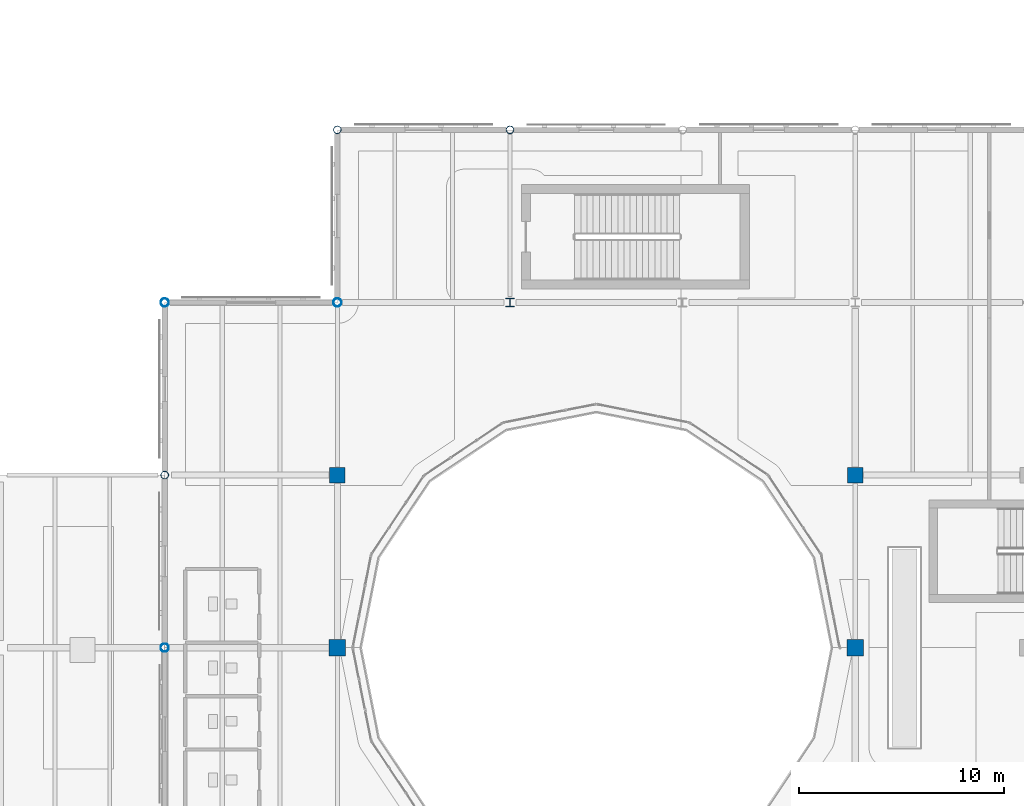
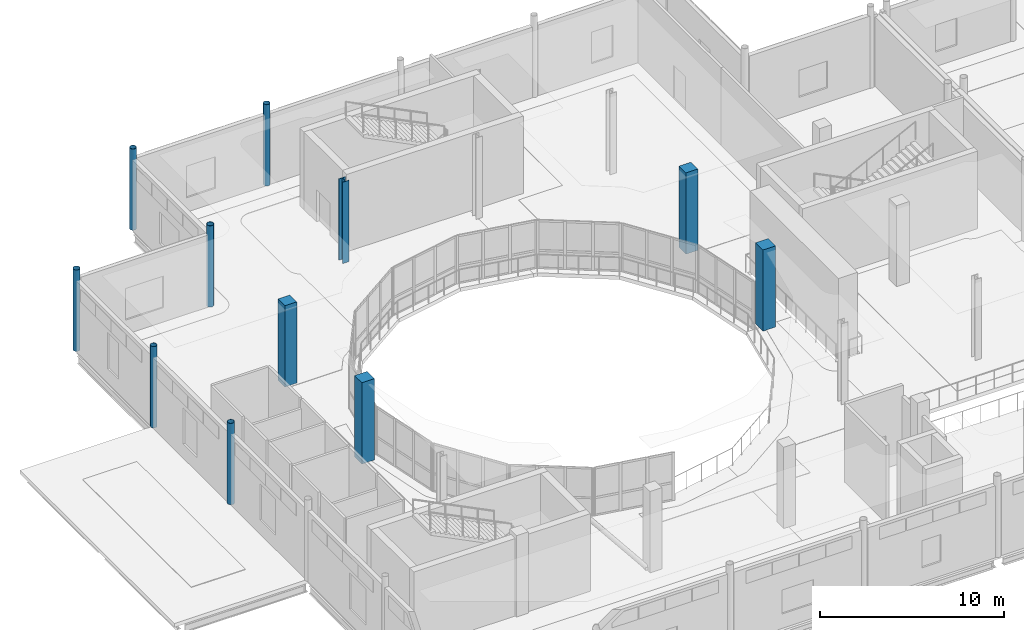
# One storey, part 6 of 110: 11 columns.
"""IFC4 building model written with IfcOpenShell, lengths in metres."""

from ifc_helpers import new_model, si_unit, direction, frame, origin, origin_2d, place, context, subcontext, project, spatial, rectangle, hollow_circle, i_section, extrude, material, material_profile, profile_set, type_object, element, save


model = new_model("IFC4")

# Units and contexts
model_context = context("Model", 3, precision=1e-05, world=origin(), true_north=direction((0.0, 1.0)))
body_context = subcontext(model_context, "Body", "Model", "MODEL_VIEW")
ifc_project = project(units=[si_unit("LENGTHUNIT", "METRE"), si_unit("AREAUNIT", "SQUARE_METRE"), si_unit("VOLUMEUNIT", "CUBIC_METRE"), si_unit("PLANEANGLEUNIT", "RADIAN"), si_unit("MASSUNIT", "GRAM", prefix="KILO"), si_unit("THERMODYNAMICTEMPERATUREUNIT", "KELVIN")], contexts=[model_context])

# Site, building, storey
site_placement = place(None, origin())
site = spatial("IfcSite", under=ifc_project, at=site_placement, CompositionType="ELEMENT")
building_placement = place(site_placement, origin())
building = spatial("IfcBuilding", under=site, at=building_placement, Name="Lustrewick Department Store", CompositionType="ELEMENT")
storey_placement = place(building_placement, frame((0.0, 0.0, 6.0)))
storey = spatial("IfcBuildingStorey", under=building, at=storey_placement, Name="L02", CompositionType="ELEMENT", Elevation=6.0)

# Columns
ifc_material_1 = material(Name="Structural steel Q355C", Category="steel")
ifc_material_profile_1 = material_profile(ifc_material_1, i_section(OverallWidth=0.405029296875, OverallDepth=0.4140625, WebThickness=0.01806640625, FlangeThickness=0.028076171875, FilletRadius=0.02197265625, at=origin_2d()), Name="HW 414x405x18x28")
ifc_profile_set_1 = profile_set([ifc_material_profile_1], Name="Structural steel Q355C")
column_type_1 = type_object("IfcColumnType", Name="C10", PredefinedType="COLUMN", material=ifc_profile_set_1)
column_placement = place(storey_placement, frame((25.199951171875, 84.0, 0.0), z_axis=(0.0, 0.0, 1.0), x_axis=(1.0, 0.0, 0.0)))
element("IfcColumn", 1, at=column_placement, inside=storey, type_object=column_type_1, Name="L02 V1 Column C10", PredefinedType="COLUMN", context=body_context, shape_type="SweptSolid", body=[
    extrude(i_section(OverallWidth=0.405029296875, OverallDepth=0.4140625, WebThickness=0.01806640625, FlangeThickness=0.028076171875, FilletRadius=0.02197265625, at=origin_2d()), origin(), (0.0, 0.0, 1.0), 5.39990234375),
])
ifc_material_2 = material(Name="Concrete C40", Category="concrete")
ifc_material_profile_2 = material_profile(ifc_material_2, rectangle(XDim=0.800048828125, YDim=0.800048828125, at=origin_2d()), Name="RC 800x800")
ifc_profile_set_2 = profile_set([ifc_material_profile_2], Name="Concrete C40")
column_type_2 = type_object("IfcColumnType", Name="C19", PredefinedType="COLUMN", material=ifc_profile_set_2)
for number, where, z_axis, x_axis, name in (
    (2, (16.800048828125, 67.199951171875, 0.0), (0.0, 0.0, 1.0), (1.0, 0.0, 0.0), "L02 V1 Column C19"),
    (3, (42.0, 67.199951171875, 0.0), (0.0, 0.0, 1.0), (1.0, 0.0, 0.0), "L02 V1 Column C19"),
):
    element("IfcColumn", number, at=place(storey_placement, frame(where, z_axis=z_axis, x_axis=x_axis)), inside=storey, type_object=column_type_2, Name=name, PredefinedType="COLUMN", context=body_context, shape_type="SweptSolid", body=[
        extrude(rectangle(XDim=0.800048828125, YDim=0.800048828125, at=origin_2d()), origin(), (0.0, 0.0, 1.0), 5.39990234375),
    ])
ifc_material_profile_3 = material_profile(ifc_material_2, rectangle(XDim=0.75, YDim=0.75, at=origin_2d()), Name="RC 750x750")
ifc_profile_set_3 = profile_set([ifc_material_profile_3], Name="Concrete C40")
column_type_3 = type_object("IfcColumnType", Name="C20", PredefinedType="COLUMN", material=ifc_profile_set_3)
for number, where, z_axis, x_axis, name in (
    (4, (16.800048828125, 75.60009765625, 0.0), (0.0, 0.0, 1.0), (1.0, 0.0, 0.0), "L02 V1 Column C20"),
    (5, (42.0, 75.60009765625, 0.0), (0.0, 0.0, 1.0), (1.0, 0.0, 0.0), "L02 V1 Column C20"),
):
    element("IfcColumn", number, at=place(storey_placement, frame(where, z_axis=z_axis, x_axis=x_axis)), inside=storey, type_object=column_type_3, Name=name, PredefinedType="COLUMN", context=body_context, shape_type="SweptSolid", body=[
        extrude(rectangle(XDim=0.75, YDim=0.75, at=origin_2d()), origin(), (0.0, 0.0, 1.0), 5.39990234375),
    ])
ifc_material_profile_4 = material_profile(ifc_material_1, hollow_circle(Radius=0.202880859375, WallThickness=0.01611328125, at=origin_2d()), Name="CHS 406x16")
ifc_profile_set_4 = profile_set([ifc_material_profile_4], Name="Structural steel Q355C")
column_type_4 = type_object("IfcColumnType", Name="CE03", PredefinedType="COLUMN", material=ifc_profile_set_4)
for number, where, z_axis, x_axis, name in (
    (6, (8.39990234375, 67.199951171875, 0.0), (0.0, 0.0, 1.0), (1.0, 0.0, 0.0), "L02 V1 Column CE03"),
    (7, (8.39990234375, 84.0, 0.0), (0.0, 0.0, 1.0), (1.0, 0.0, 0.0), "L02 V1 Column CE03"),
    (8, (16.800048828125, 84.0, 0.0), (0.0, 0.0, 1.0), (1.0, 0.0, 0.0), "L02 V1 Column CE03"),
):
    element("IfcColumn", number, at=place(storey_placement, frame(where, z_axis=z_axis, x_axis=x_axis)), inside=storey, type_object=column_type_4, Name=name, PredefinedType="COLUMN", context=body_context, shape_type="SweptSolid", body=[
        extrude(hollow_circle(Radius=0.202880859375, WallThickness=0.01611328125, at=origin_2d()), origin(), (0.0, 0.0, 1.0), 5.39990234375),
    ])
ifc_material_3 = material(Name="Structural steel Q355B", Category="steel")
ifc_material_profile_5 = material_profile(ifc_material_3, hollow_circle(Radius=0.1884765625, WallThickness=0.013916015625, at=origin_2d()), Name="CHS 377x14")
ifc_profile_set_5 = profile_set([ifc_material_profile_5], Name="Structural steel Q355B")
column_type_5 = type_object("IfcColumnType", Name="CE04", PredefinedType="COLUMN", material=ifc_profile_set_5)
for number, where, z_axis, x_axis, name in (
    (9, (8.39990234375, 75.60009765625, 0.0), (0.0, 0.0, 1.0), (1.0, 0.0, 0.0), "L02 V1 Column CE04"),
    (10, (16.800048828125, 92.39990234375, 0.0), (0.0, 0.0, 1.0), (1.0, 0.0, 0.0), "L02 V1 Column CE04"),
    (11, (25.199951171875, 92.39990234375, 0.0), (0.0, 0.0, 1.0), (1.0, 0.0, 0.0), "L02 V1 Column CE04"),
):
    element("IfcColumn", number, at=place(storey_placement, frame(where, z_axis=z_axis, x_axis=x_axis)), inside=storey, type_object=column_type_5, Name=name, PredefinedType="COLUMN", context=body_context, shape_type="SweptSolid", body=[
        extrude(hollow_circle(Radius=0.1884765625, WallThickness=0.013916015625, at=origin_2d()), origin(), (0.0, 0.0, 1.0), 5.39990234375),
    ])

save(model, "model.ifc")
